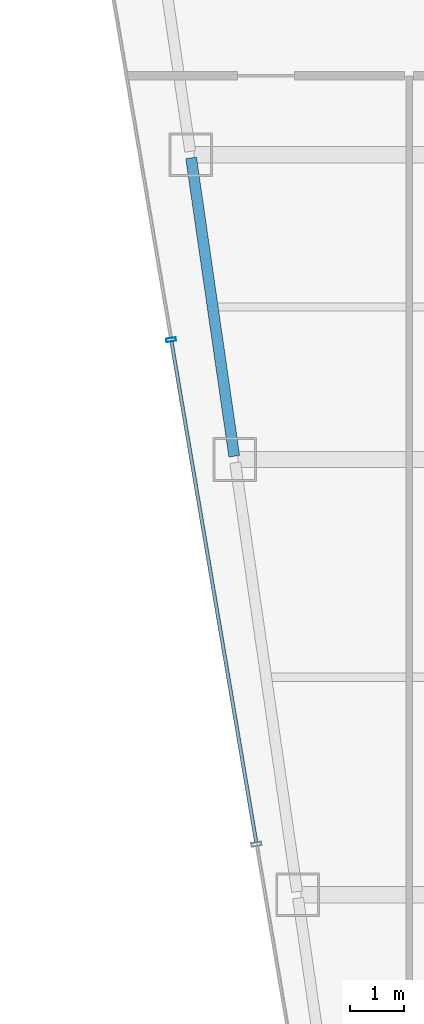
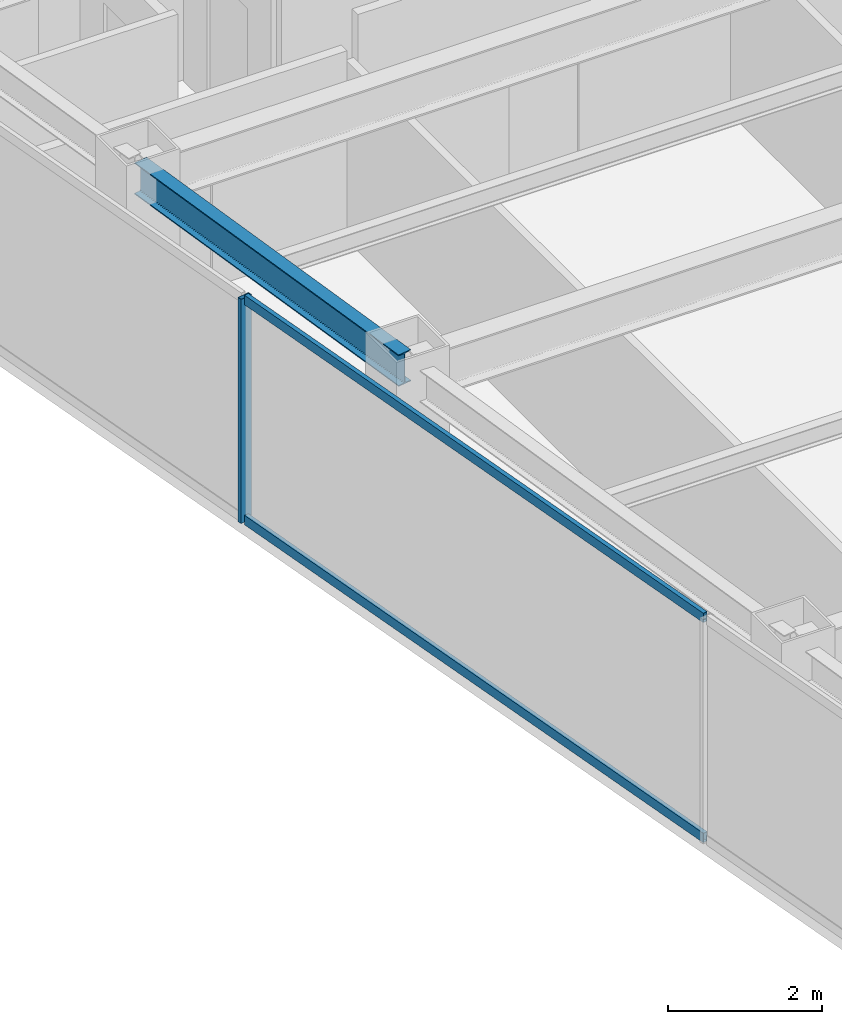
# One storey, part 9 of 36: 3 members, 1 beam, 1 element without a shape of its own.
"""IFC4 building model written with IfcOpenShell, lengths in metres."""

import ifcopenshell
import ifcopenshell.guid

model = None  # the IFC model being written
_history = None  # IfcOwnerHistory: only IFC2X3 demands one
_inside = {}  # id of a spatial element -> (the spatial element, [elements in it])
_under = {}  # id of a project, library or spatial element -> (it, [spatial elements below it])
_declared = {}  # id of a project -> (the project, [libraries it declares])
_typed = {}  # id of a type object -> (the type object, [elements of that type])
_made_of = {}  # id of a material, layer set ... -> (it, [elements and type objects made of it])


def new_model(schema):
    """Start an empty IFC model of exactly this schema.

    Asked for "IFC4X3", IfcOpenShell would pick the latest addendum, in which some entities
    have other attributes; the version numbers below select the first issue.
    IFC2X3 requires an IfcOwnerHistory on every rooted entity: one is made here for all.
    """
    global model, _history
    if schema == "IFC4X3":
        model = ifcopenshell.file(schema_version=(4, 3, 0, 0))
    else:
        model = ifcopenshell.file(schema=schema)
    _inside.clear()
    _under.clear()
    _declared.clear()
    _typed.clear()
    _made_of.clear()
    _history = None
    if model.schema == "IFC2X3":
        org = make("IfcOrganization", Name="unknown")
        user = make(
            "IfcPersonAndOrganization",
            ThePerson=make("IfcPerson", FamilyName="unknown"),
            TheOrganization=org,
        )
        app = make(
            "IfcApplication",
            ApplicationDeveloper=org,
            Version="unknown",
            ApplicationFullName="unknown",
            ApplicationIdentifier="unknown",
        )
        _history = make(
            "IfcOwnerHistory",
            OwningUser=user,
            OwningApplication=app,
            ChangeAction="ADDED",
            CreationDate=0,
        )
    return model


def make(cls, **values):
    """One entity of the class cls with the attributes given. An attribute that is None is left unset."""
    return model.create_entity(
        cls, **{name: value for name, value in values.items() if value is not None}
    )


def rooted(cls, **values):
    """An entity with a GlobalId (a new one), such as an element, a storey or a relation."""
    return make(cls, GlobalId=ifcopenshell.guid.new(), OwnerHistory=_history, **values)


def si_unit(unit_type, name, prefix=None):
    """IfcSIUnit, for example si_unit("LENGTHUNIT", "METRE", prefix="MILLI")."""
    return make("IfcSIUnit", UnitType=unit_type, Prefix=prefix, Name=name)


def assignment(units):
    """IfcUnitAssignment: the units of a project."""
    return None if units is None else make("IfcUnitAssignment", Units=units)


def point(xyz):
    """IfcCartesianPoint."""
    return None if xyz is None else make("IfcCartesianPoint", Coordinates=xyz)


def direction(xyz):
    """IfcDirection."""
    return None if xyz is None else make("IfcDirection", DirectionRatios=xyz)


def frame(location, z_axis=None, x_axis=None):
    """IfcAxis2Placement3D, a coordinate frame: its origin and axes. An axis left out is left unset."""
    return make(
        "IfcAxis2Placement3D",
        Location=point(location),
        Axis=direction(z_axis),
        RefDirection=direction(x_axis),
    )


def frame_2d(location, x_axis=None):
    """IfcAxis2Placement2D, a coordinate frame in the plane: its origin and x axis."""
    return make(
        "IfcAxis2Placement2D", Location=point(location), RefDirection=direction(x_axis)
    )


def origin():
    """The frame at (0, 0, 0) with its axes left unset."""
    return frame((0.0, 0.0, 0.0))


def origin_2d():
    """The frame at (0, 0) in the plane with its x axis left unset."""
    return frame_2d((0.0, 0.0))


def place(relative_to, where):
    """IfcLocalPlacement: puts the frame where relative to a parent placement (None: the world)."""
    return make(
        "IfcLocalPlacement", PlacementRelTo=relative_to, RelativePlacement=where
    )


def context(
    kind, dimensions, precision=None, world=None, true_north=None, identifier=None
):
    """IfcGeometricRepresentationContext, for example the 3D "Model" context."""
    return make(
        "IfcGeometricRepresentationContext",
        ContextIdentifier=identifier,
        ContextType=kind,
        CoordinateSpaceDimension=dimensions,
        Precision=precision,
        WorldCoordinateSystem=world,
        TrueNorth=true_north,
    )


def subcontext(parent, identifier, kind, view, scale=None):
    """IfcGeometricRepresentationSubContext, for example "Body" below "Model"."""
    return make(
        "IfcGeometricRepresentationSubContext",
        ContextIdentifier=identifier,
        ContextType=kind,
        ParentContext=parent,
        TargetScale=scale,
        TargetView=view,
    )


def project(units=None, contexts=None):
    """IfcProject with its units and contexts."""
    return rooted(
        "IfcProject",
        Name="project",
        RepresentationContexts=contexts,
        UnitsInContext=assignment(units),
    )


def spatial(cls, under=None, at=None, **own):
    """A site, building, storey or space (cls), placed at a placement, below another one or the project."""
    s = rooted(cls, ObjectPlacement=at, **own)
    if under is not None:
        _under.setdefault(under.id(), (under, []))[1].append(s)
    return s


def profile(cls, at=None, kind="AREA", **sizes):
    """A parametric profile (cls). Its sizes go by their IFC names, for example OverallWidth=200.0."""
    return make(cls, ProfileType=kind, Position=at, **sizes)


def hollow_rectangle(**sizes):
    """IfcRectangleHollowProfileDef."""
    return profile("IfcRectangleHollowProfileDef", **sizes)


def i_section(**sizes):
    """IfcIShapeProfileDef."""
    return profile("IfcIShapeProfileDef", **sizes)


def extrude(swept, where, along, depth):
    """IfcExtrudedAreaSolid: the profile swept, set in the frame where, extruded along a direction by depth."""
    return make(
        "IfcExtrudedAreaSolid",
        SweptArea=swept,
        Position=where,
        ExtrudedDirection=direction(along),
        Depth=depth,
    )


def shape(context_of_items, identifier, shape_type, items):
    """IfcShapeRepresentation: the items that make up one representation, for example the "Body"."""
    return make(
        "IfcShapeRepresentation",
        ContextOfItems=context_of_items,
        RepresentationIdentifier=identifier,
        RepresentationType=shape_type,
        Items=items,
    )


def material(Name=None, Category=None):
    """IfcMaterial."""
    return make("IfcMaterial", Name=Name, Category=Category)


def material_profile(
    of_material, cross_section, Name=None, Category=None, Priority=None
):
    """IfcMaterialProfile: a cross section and its material."""
    return make(
        "IfcMaterialProfile",
        Name=Name,
        Material=of_material,
        Profile=cross_section,
        Priority=Priority,
        Category=Category,
    )


def profile_set(profiles, Name=None, composite=None):
    """IfcMaterialProfileSet."""
    return make(
        "IfcMaterialProfileSet",
        Name=Name,
        MaterialProfiles=profiles,
        CompositeProfile=composite,
    )


def made_of(thing, what):
    """Note that an element or type object is made of a material, layer set ...; save() writes the relation."""
    if what is not None:
        _made_of.setdefault(what.id(), (what, []))[1].append(thing)
    return thing


def type_object(cls, material=None, **own):
    """A type object (cls), such as IfcWallType, which elements share."""
    return made_of(rooted(cls, **own), material)


def element(
    cls,
    number,
    at=None,
    inside=None,
    cuts=None,
    type_object=None,
    material=None,
    context=None,
    identifier="Body",
    shape_type=None,
    held_by="IfcProductDefinitionShape",
    body=None,
    shapes=None,
    **own,
):
    """One element of the class cls, such as IfcWall. Its Tag is "e" and its number.

    at: its placement. inside: the storey or other place that contains it. cuts: it is an
    opening in that element (IfcRelVoidsElement). A single representation is given by context,
    identifier, shape_type and body (its items); several are given by shapes. held_by: the class
    of the entity that holds the representations. save() writes the other relations.
    """
    e = rooted(cls, Tag="e%d" % number, ObjectPlacement=at, **own)
    if body is not None:
        shapes = [shape(context, identifier, shape_type, body)]
    if shapes is not None:
        e.Representation = make(held_by, Representations=shapes)
    if inside is not None:
        _inside.setdefault(inside.id(), (inside, []))[1].append(e)
    if cuts is not None:
        rooted(
            "IfcRelVoidsElement", RelatingBuildingElement=cuts, RelatedOpeningElement=e
        )
    if type_object is not None:
        _typed.setdefault(type_object.id(), (type_object, []))[1].append(e)
    return made_of(e, material)


def aggregate(whole, parts):
    """IfcRelAggregates: a whole, such as a stair, and the parts it consists of."""
    return rooted("IfcRelAggregates", RelatingObject=whole, RelatedObjects=parts)


def save(model, path):
    """Write the relations noted so far, then the file.

    IfcRelAggregates (storeys below a building ...), IfcRelContainedInSpatialStructure (elements
    in a storey), IfcRelDefinesByType, IfcRelAssociatesMaterial and IfcRelDeclares: one each for
    every whole, place, type object, material and project.
    """
    for whole, parts in _under.values():
        aggregate(whole, parts)
    for where, things in _inside.values():
        rooted(
            "IfcRelContainedInSpatialStructure",
            RelatedElements=things,
            RelatingStructure=where,
        )
    for kind, things in _typed.values():
        rooted("IfcRelDefinesByType", RelatedObjects=things, RelatingType=kind)
    for what, things in _made_of.values():
        rooted("IfcRelAssociatesMaterial", RelatedObjects=things, RelatingMaterial=what)
    for by, libraries in _declared.values():
        rooted("IfcRelDeclares", RelatingContext=by, RelatedDefinitions=libraries)
    model.write(path)


model = new_model("IFC4")

# Units and contexts
model_context = context("Model", 3, precision=1e-05, world=origin(), true_north=direction((0.0, 1.0)))
body_context = subcontext(model_context, "Body", "Model", "MODEL_VIEW")
ifc_project = project(units=[si_unit("LENGTHUNIT", "METRE"), si_unit("AREAUNIT", "SQUARE_METRE"), si_unit("VOLUMEUNIT", "CUBIC_METRE"), si_unit("PLANEANGLEUNIT", "RADIAN"), si_unit("MASSUNIT", "GRAM", prefix="KILO")], contexts=[model_context])

# Site, building, storey
site_placement = place(None, origin())
site = spatial("IfcSite", under=ifc_project, at=site_placement, CompositionType="ELEMENT")
building_placement = place(site_placement, origin())
building = spatial("IfcBuilding", under=site, at=building_placement, Name="Saevonmaru Cultural Tower", CompositionType="ELEMENT")
storey_placement = place(building_placement, frame((0.0, 0.0, 201.800048828125)))
storey = spatial("IfcBuildingStorey", under=building, at=storey_placement, Name="L46", CompositionType="ELEMENT", Elevation=201.800048828125)

# Beam
ifc_material_1 = material(Name="Steel SM355", Category="steel")
ifc_material_profile_1 = material_profile(ifc_material_1, i_section(OverallWidth=0.199951171875, OverallDepth=0.5, WebThickness=0.010009765625, FlangeThickness=0.01611328125, FilletRadius=0.02001953125, at=origin_2d()), Name="H-500x200x10x16")
ifc_profile_set_1 = profile_set([ifc_material_profile_1], Name="Steel SM355")
beam_type = type_object("IfcBeamType", Name="BM-SP-H500", PredefinedType="SPANDREL", material=ifc_profile_set_1)
beam_placement = place(storey_placement, frame((8.308349609375, 32.059326171875, 3.300048828125), z_axis=(-0.142964121327, 0.989727871697, 0.0), x_axis=(-0.989727871697, -0.142964121327, 0.0)))
element("IfcBeam", 1, at=beam_placement, inside=storey, type_object=beam_type, Name="L46 West Splayed Spandrel 3", PredefinedType="SPANDREL", context=body_context, shape_type="SweptSolid", body=[
    extrude(i_section(OverallWidth=0.199951171875, OverallDepth=0.5, WebThickness=0.010009765625, FlangeThickness=0.01611328125, FilletRadius=0.02001953125, at=origin_2d()), origin(), (0.0, 0.0, 1.0), 5.5380859375),
])

# Curtain wall, members
ifc_material_2 = material(Name="Satin Bronze Anodised Aluminium", Category="aluminium")
curtain_wall_type = type_object("IfcCurtainWallType", Name="CW-TYP-B", PredefinedType="NOTDEFINED", material=ifc_material_2)
curtain_wall_placement = place(storey_placement, origin())
curtain_wall = element("IfcCurtainWall", 2, at=curtain_wall_placement, inside=storey, type_object=curtain_wall_type, Name="L46 Unitised Curtain Wall E12", PredefinedType="NOTDEFINED")
ifc_material_profile_2 = material_profile(ifc_material_2, hollow_rectangle(XDim=0.06494140625, YDim=0.179931640625, WallThickness=0.00390625, at=origin_2d()), Name="ALU-MULL-180x65x4")
ifc_profile_set_2 = profile_set([ifc_material_profile_2], Name="Satin Bronze Anodised Aluminium")
member_type_1 = type_object("IfcMemberType", Name="ML-CW-180x65", PredefinedType="MULLION", material=ifc_profile_set_2)
member_1_placement = place(storey_placement, frame((7.14892578125, 34.199951171875, 0.0), z_axis=(0.0, 0.0, 1.0), x_axis=(0.16692169721, -0.985970155228, 0.0)))
member_1 = element("IfcMember", 3, at=member_1_placement, type_object=member_type_1, Name="CW-TW-L46-E12 mullion 3", PredefinedType="MULLION", context=body_context, shape_type="SweptSolid", body=[
    extrude(hollow_rectangle(XDim=0.06494140625, YDim=0.179931640625, WallThickness=0.00390625, at=origin_2d()), origin(), (0.0, 0.0, 1.0), 3.550048828125),
])
ifc_material_profile_3 = material_profile(ifc_material_2, hollow_rectangle(XDim=0.06494140625, YDim=0.14990234375, WallThickness=0.00390625, at=origin_2d()), Name="ALU-TRAN-150x65x4")
ifc_profile_set_3 = profile_set([ifc_material_profile_3], Name="Satin Bronze Anodised Aluminium")
member_type_2 = type_object("IfcMemberType", Name="TR-CW-150x65", PredefinedType="USERDEFINED", material=ifc_profile_set_3)
member_2_placement = place(storey_placement, frame((7.154296875, 34.16796875, 0.032470703125), z_axis=(0.166921263871, -0.985970228591, 0.0), x_axis=(0.985970228591, 0.166921263871, 0.0)))
member_2 = element("IfcMember", 4, at=member_2_placement, type_object=member_type_2, Name="CW-TW-L46-E12 transom 3.1", ObjectType="TRANSOM", PredefinedType="USERDEFINED", context=body_context, shape_type="SweptSolid", body=[
    extrude(hollow_rectangle(XDim=0.06494140625, YDim=0.14990234375, WallThickness=0.00390625, at=origin_2d()), origin(), (0.0, 0.0, 1.0), 9.33740234375),
])
member_3_placement = place(storey_placement, frame((7.154296875, 34.16796875, 3.517333984375), z_axis=(0.166921263871, -0.985970228591, 0.0), x_axis=(0.985970228591, 0.166921263871, 0.0)))
member_3 = element("IfcMember", 5, at=member_3_placement, type_object=member_type_2, Name="CW-TW-L46-E12 transom 3.2", ObjectType="TRANSOM", PredefinedType="USERDEFINED", context=body_context, shape_type="SweptSolid", body=[
    extrude(hollow_rectangle(XDim=0.06494140625, YDim=0.14990234375, WallThickness=0.00390625, at=origin_2d()), origin(), (0.0, 0.0, 1.0), 9.33740234375),
])
aggregate(curtain_wall, [member_1, member_2, member_3])

save(model, "model.ifc")
